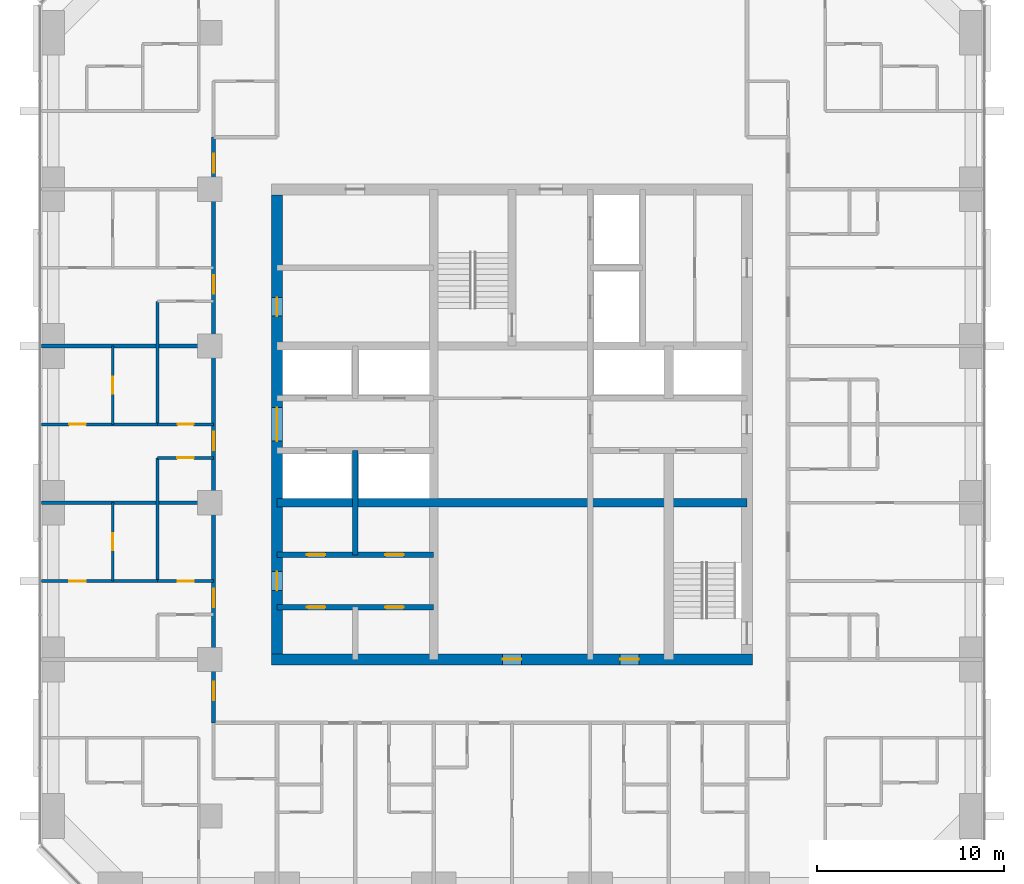
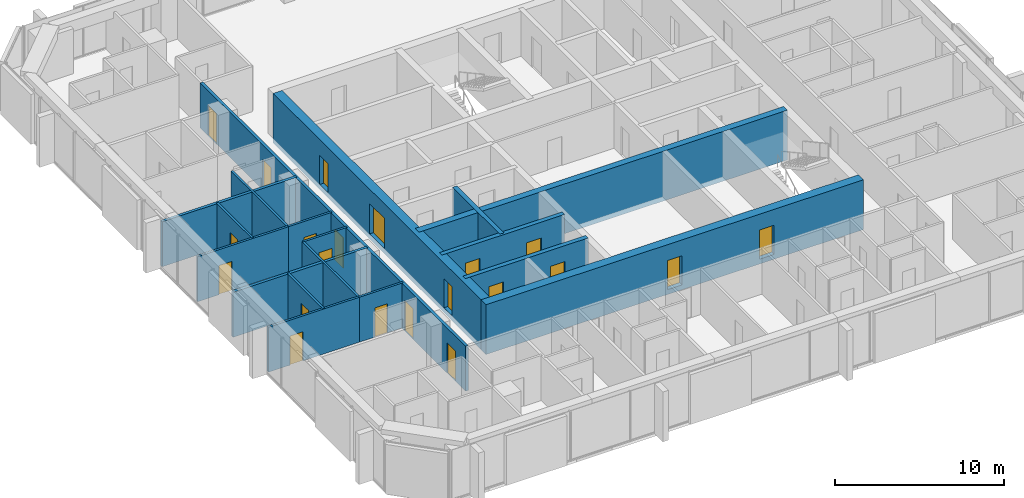
# One storey, part 9 of 14: 21 doors, 18 walls, 21 openings.
"""IFC4 building model written with IfcOpenShell, lengths in metres."""

from ifc_helpers import new_model, si_unit, direction, frame, frame_2d, origin, place, context, subcontext, project, spatial, rectangle, extrude, material, layer, layer_set, type_object, element, fill, save


model = new_model("IFC4")

# Units and contexts
model_context = context("Model", 3, precision=1e-05, world=origin(), true_north=direction((0.0, 1.0)))
body_context = subcontext(model_context, "Body", "Model", "MODEL_VIEW")
ifc_project = project(units=[si_unit("LENGTHUNIT", "METRE"), si_unit("AREAUNIT", "SQUARE_METRE"), si_unit("VOLUMEUNIT", "CUBIC_METRE"), si_unit("PLANEANGLEUNIT", "RADIAN"), si_unit("MASSUNIT", "GRAM", prefix="KILO")], contexts=[model_context])

# Site, building, storey
site_placement = place(None, origin())
site = spatial("IfcSite", under=ifc_project, at=site_placement, CompositionType="ELEMENT")
building_placement = place(site_placement, origin())
building = spatial("IfcBuilding", under=site, at=building_placement, Name="Dunama Terrace Hotel", CompositionType="ELEMENT")
storey_placement = place(building_placement, frame((0.0, 0.0, 202.199951171875)))
storey = spatial("IfcBuildingStorey", under=building, at=storey_placement, Name="L52", CompositionType="ELEMENT", Elevation=202.199951171875)

# Wall, opening, door
ifc_material_1 = material(Name="Gypsum board partition", Category="masonry")
ifc_layer_1 = layer(ifc_material_1, 0.14990234375)
ifc_layer_set_1 = layer_set([ifc_layer_1], Name="Bathroom partition 150")
wall_type_1 = type_object("IfcWallType", Name="Bathroom partition 150", PredefinedType="PARTITIONING", material=ifc_layer_set_1)
wall_1_placement = place(storey_placement, frame((10.39990234375, 21.0, 0.0), z_axis=(0.0, 0.0, 1.0), x_axis=(1.0, 0.0, 0.0)))
wall_1 = element("IfcWall", 1, at=wall_1_placement, inside=storey, type_object=wall_type_1, Name="Bathroom partition 150 L52", PredefinedType="PARTITIONING", context=body_context, shape_type="SweptSolid", body=[
    extrude(rectangle(XDim=3.0, YDim=0.14990234375, at=frame_2d((1.5, 0.0))), origin(), (0.0, 0.0, 1.0), 3.25),
])
opening_1_placement = place(wall_1_placement, frame((1.074951171875, 0.0, 0.0)))
opening_1 = element("IfcOpeningElement", 2, at=opening_1_placement, cuts=wall_1, Name="Opening L51-52-040", PredefinedType="OPENING", context=body_context, shape_type="SweptSolid", body=[
    extrude(rectangle(XDim=0.85009765625, YDim=2.10009765625, at=frame_2d((0.425048828125, 1.050048828125))), frame((0.0, 0.0849609375, 0.0), z_axis=(0.0, -1.0, 0.0), x_axis=(1.0, 0.0, 0.0)), (0.0, 0.0, 1.0), 0.169921875),
])
ifc_material_2 = material(Name="Timber door with steel frame", Category="steel")
door_type_1 = type_object("IfcDoorType", Name="Bathroom door 850", OperationType="SINGLE_SWING_LEFT", PredefinedType="DOOR", material=ifc_material_2)
door_1_placement = place(opening_1_placement, origin())
door_1 = element("IfcDoor", 3, at=door_1_placement, inside=storey, type_object=door_type_1, Name="Door to diplomatic residence bathroom L51-52-040, type D2", OperationType="SINGLE_SWING_RIGHT", OverallHeight=2.10009765625, OverallWidth=0.85009765625, PredefinedType="DOOR", context=body_context, shape_type="SweptSolid", body=[
    extrude(rectangle(XDim=0.85009765625, YDim=2.10009765625, at=frame_2d((0.425048828125, 1.050048828125))), frame((0.0, 0.02490234375, 0.0), z_axis=(0.0, -1.0, 0.0), x_axis=(1.0, 0.0, 0.0)), (0.0, 0.0, 1.0), 0.050048828125),
])
fill(opening_1, door_1)

wall_2_placement = place(storey_placement, frame((10.39990234375, 29.39990234375, 0.0), z_axis=(0.0, 0.0, 1.0), x_axis=(1.0, 0.0, 0.0)))
wall_2 = element("IfcWall", 4, at=wall_2_placement, inside=storey, type_object=wall_type_1, Name="Bathroom partition 150 L52", PredefinedType="PARTITIONING", context=body_context, shape_type="SweptSolid", body=[
    extrude(rectangle(XDim=3.0, YDim=0.14990234375, at=frame_2d((1.5, 0.0))), origin(), (0.0, 0.0, 1.0), 3.25),
])
opening_2_placement = place(wall_2_placement, frame((1.074951171875, 0.0, 0.0)))
opening_2 = element("IfcOpeningElement", 5, at=opening_2_placement, cuts=wall_2, Name="Opening L51-52-045", PredefinedType="OPENING", context=body_context, shape_type="SweptSolid", body=[
    extrude(rectangle(XDim=0.85009765625, YDim=2.10009765625, at=frame_2d((0.425048828125, 1.050048828125))), frame((0.0, 0.0849609375, 0.0), z_axis=(0.0, -1.0, 0.0), x_axis=(1.0, 0.0, 0.0)), (0.0, 0.0, 1.0), 0.169921875),
])
door_2_placement = place(opening_2_placement, origin())
door_2 = element("IfcDoor", 6, at=door_2_placement, inside=storey, type_object=door_type_1, Name="Door to diplomatic residence bathroom L51-52-045, type D2", OperationType="SINGLE_SWING_RIGHT", OverallHeight=2.10009765625, OverallWidth=0.85009765625, PredefinedType="DOOR", context=body_context, shape_type="SweptSolid", body=[
    extrude(rectangle(XDim=0.85009765625, YDim=2.10009765625, at=frame_2d((0.425048828125, 1.050048828125))), frame((0.0, 0.02490234375, 0.0), z_axis=(0.0, -1.0, 0.0), x_axis=(1.0, 0.0, 0.0)), (0.0, 0.0, 1.0), 0.050048828125),
])
fill(opening_2, door_2)

# Wall
ifc_material_3 = material(Name="Concrete C50/60", Category="concrete")
ifc_layer_2 = layer(ifc_material_3, 0.300048828125)
ifc_layer_set_2 = layer_set([ifc_layer_2], Name="Core inner wall 300")
wall_type_2 = type_object("IfcWallType", Name="Core inner wall 300", PredefinedType="SHEAR", material=ifc_layer_set_2)
wall_3_placement = place(storey_placement, frame((21.0, 22.39990234375, -0.349853515625), z_axis=(0.0, 0.0, 1.0), x_axis=(0.0, 1.0, 0.0)))
element("IfcWall", 7, at=wall_3_placement, inside=storey, type_object=wall_type_2, Name="Core inner wall 300 L52", PredefinedType="SHEAR", context=body_context, shape_type="SweptSolid", body=[
    extrude(rectangle(XDim=5.60009765625, YDim=0.300048828125, at=frame_2d((2.800048828125, 0.0))), origin(), (0.0, 0.0, 1.0), 3.599853515625),
])

# Wall, openings, doors
wall_4_placement = place(storey_placement, frame((16.800048828125, 19.60009765625, -0.349853515625), z_axis=(0.0, 0.0, 1.0), x_axis=(1.0, 0.0, 0.0)))
wall_4 = element("IfcWall", 8, at=wall_4_placement, inside=storey, type_object=wall_type_2, Name="Core inner wall 300 L52", PredefinedType="SHEAR", context=body_context, shape_type="SweptSolid", body=[
    extrude(rectangle(XDim=8.39990234375, YDim=0.300048828125, at=frame_2d((4.199951171875, 0.0))), origin(), (0.0, 0.0, 1.0), 3.599853515625),
])
opening_3_placement = place(wall_4_placement, frame((1.60009765625, 0.0, 0.35009765625)))
opening_3 = element("IfcOpeningElement", 9, at=opening_3_placement, cuts=wall_4, Name="Opening L51-52-074", PredefinedType="OPENING", context=body_context, shape_type="SweptSolid", body=[
    extrude(rectangle(XDim=1.0, YDim=2.10009765625, at=frame_2d((0.5, 1.050048828125))), frame((0.0, 0.159912109375, 0.0), z_axis=(0.0, -1.0, 0.0), x_axis=(1.0, 0.0, 0.0)), (0.0, 0.0, 1.0), 0.320068359375),
])
opening_4_placement = place(wall_4_placement, frame((5.800048828125, 0.0, 0.35009765625)))
opening_4 = element("IfcOpeningElement", 10, at=opening_4_placement, cuts=wall_4, Name="Opening L51-52-075", PredefinedType="OPENING", context=body_context, shape_type="SweptSolid", body=[
    extrude(rectangle(XDim=1.0, YDim=2.10009765625, at=frame_2d((0.5, 1.050048828125))), frame((0.0, 0.159912109375, 0.0), z_axis=(0.0, -1.0, 0.0), x_axis=(1.0, 0.0, 0.0)), (0.0, 0.0, 1.0), 0.320068359375),
])
ifc_material_4 = material(Name="Timber door with steel frame", Category="steel")
door_type_2 = type_object("IfcDoorType", Name="Service door 1000", OperationType="SINGLE_SWING_LEFT", PredefinedType="DOOR", material=ifc_material_4)
door_3_placement = place(opening_3_placement, frame((1.0, 0.0, 0.0), z_axis=(0.0, 0.0, 1.0), x_axis=(-1.0, 0.0, 0.0)))
door_3 = element("IfcDoor", 11, at=door_3_placement, inside=storey, type_object=door_type_2, Name="Door to service riser L51-52-074, type D7", OperationType="SINGLE_SWING_RIGHT", OverallHeight=2.10009765625, OverallWidth=1.0, PredefinedType="DOOR", context=body_context, shape_type="SweptSolid", body=[
    extrude(rectangle(XDim=1.0, YDim=2.10009765625, at=frame_2d((0.5, 1.050048828125))), frame((0.0, 0.025146484375, 0.0), z_axis=(0.0, -1.0, 0.0), x_axis=(1.0, 0.0, 0.0)), (0.0, 0.0, 1.0), 0.050048828125),
])
fill(opening_3, door_3)
door_4_placement = place(opening_4_placement, frame((1.0, 0.0, 0.0), z_axis=(0.0, 0.0, 1.0), x_axis=(-1.0, 0.0, 0.0)))
door_4 = element("IfcDoor", 12, at=door_4_placement, inside=storey, type_object=door_type_2, Name="Door to cleaners store L51-52-075, type D7", OperationType="SINGLE_SWING_LEFT", OverallHeight=2.10009765625, OverallWidth=1.0, PredefinedType="DOOR", context=body_context, shape_type="SweptSolid", body=[
    extrude(rectangle(XDim=1.0, YDim=2.10009765625, at=frame_2d((0.5, 1.050048828125))), frame((0.0, 0.025146484375, 0.0), z_axis=(0.0, -1.0, 0.0), x_axis=(1.0, 0.0, 0.0)), (0.0, 0.0, 1.0), 0.050048828125),
])
fill(opening_4, door_4)

wall_5_placement = place(storey_placement, frame((16.800048828125, 22.39990234375, -0.349853515625), z_axis=(0.0, 0.0, 1.0), x_axis=(1.0, 0.0, 0.0)))
wall_5 = element("IfcWall", 13, at=wall_5_placement, inside=storey, type_object=wall_type_2, Name="Core inner wall 300 L52", PredefinedType="SHEAR", context=body_context, shape_type="SweptSolid", body=[
    extrude(rectangle(XDim=8.39990234375, YDim=0.300048828125, at=frame_2d((4.199951171875, 0.0))), origin(), (0.0, 0.0, 1.0), 3.599853515625),
])
opening_5_placement = place(wall_5_placement, frame((1.60009765625, 0.0, 0.35009765625)))
opening_5 = element("IfcOpeningElement", 14, at=opening_5_placement, cuts=wall_5, Name="Opening L51-52-076", PredefinedType="OPENING", context=body_context, shape_type="SweptSolid", body=[
    extrude(rectangle(XDim=1.0, YDim=2.10009765625, at=frame_2d((0.5, 1.050048828125))), frame((0.0, 0.159912109375, 0.0), z_axis=(0.0, -1.0, 0.0), x_axis=(1.0, 0.0, 0.0)), (0.0, 0.0, 1.0), 0.320068359375),
])
opening_6_placement = place(wall_5_placement, frame((5.800048828125, 0.0, 0.35009765625)))
opening_6 = element("IfcOpeningElement", 15, at=opening_6_placement, cuts=wall_5, Name="Opening L51-52-077", PredefinedType="OPENING", context=body_context, shape_type="SweptSolid", body=[
    extrude(rectangle(XDim=1.0, YDim=2.10009765625, at=frame_2d((0.5, 1.050048828125))), frame((0.0, 0.159912109375, 0.0), z_axis=(0.0, -1.0, 0.0), x_axis=(1.0, 0.0, 0.0)), (0.0, 0.0, 1.0), 0.320068359375),
])
door_5_placement = place(opening_5_placement, origin())
door_5 = element("IfcDoor", 16, at=door_5_placement, inside=storey, type_object=door_type_2, Name="Door to it room L51-52-076, type D7", OperationType="SINGLE_SWING_LEFT", OverallHeight=2.10009765625, OverallWidth=1.0, PredefinedType="DOOR", context=body_context, shape_type="SweptSolid", body=[
    extrude(rectangle(XDim=1.0, YDim=2.10009765625, at=frame_2d((0.5, 1.050048828125))), frame((0.0, 0.02490234375, 0.0), z_axis=(0.0, -1.0, 0.0), x_axis=(1.0, 0.0, 0.0)), (0.0, 0.0, 1.0), 0.050048828125),
])
fill(opening_5, door_5)
door_6_placement = place(opening_6_placement, origin())
door_6 = element("IfcDoor", 17, at=door_6_placement, inside=storey, type_object=door_type_2, Name="Door to staff accessible wc L51-52-077, type D7", OperationType="SINGLE_SWING_RIGHT", OverallHeight=2.10009765625, OverallWidth=1.0, PredefinedType="DOOR", context=body_context, shape_type="SweptSolid", body=[
    extrude(rectangle(XDim=1.0, YDim=2.10009765625, at=frame_2d((0.5, 1.050048828125))), frame((0.0, 0.02490234375, 0.0), z_axis=(0.0, -1.0, 0.0), x_axis=(1.0, 0.0, 0.0)), (0.0, 0.0, 1.0), 0.050048828125),
])
fill(opening_6, door_6)

# Wall
ifc_material_5 = material(Name="Concrete C50/60", Category="concrete")
ifc_layer_3 = layer(ifc_material_5, 0.449951171875)
ifc_layer_set_3 = layer_set([ifc_layer_3], Name="Core inner wall 450")
wall_type_3 = type_object("IfcWallType", Name="Core inner wall 450", PredefinedType="SHEAR", material=ifc_layer_set_3)
wall_6_placement = place(storey_placement, frame((16.800048828125, 25.199951171875, -0.349853515625), z_axis=(0.0, 0.0, 1.0), x_axis=(1.0, 0.0, 0.0)))
element("IfcWall", 18, at=wall_6_placement, inside=storey, type_object=wall_type_3, Name="Core inner wall 450 L52", PredefinedType="SHEAR", context=body_context, shape_type="SweptSolid", body=[
    extrude(rectangle(XDim=25.199951171875, YDim=0.449951171875, at=frame_2d((12.60009765625, 0.0))), origin(), (0.0, 0.0, 1.0), 3.599853515625),
])

# Wall, openings, doors
ifc_material_6 = material(Name="Concrete C50/60", Category="concrete")
ifc_layer_4 = layer(ifc_material_6, 0.60009765625)
ifc_layer_set_4 = layer_set([ifc_layer_4], Name="Core wall 600")
wall_type_4 = type_object("IfcWallType", Name="Core wall 600", PredefinedType="SHEAR", material=ifc_layer_set_4)
wall_7_placement = place(storey_placement, frame((16.5, 16.800048828125, -0.349853515625), z_axis=(0.0, 0.0, 1.0), x_axis=(1.0, 0.0, 0.0)))
wall_7 = element("IfcWall", 19, at=wall_7_placement, inside=storey, type_object=wall_type_4, Name="Core wall south L52", PredefinedType="SHEAR", context=body_context, shape_type="SweptSolid", body=[
    extrude(rectangle(XDim=25.800048828125, YDim=0.60009765625, at=frame_2d((12.89990234375, 0.0))), origin(), (0.0, 0.0, 1.0), 3.599853515625),
])
opening_7_placement = place(wall_7_placement, frame((12.39990234375, 0.0, 0.35009765625)))
opening_7 = element("IfcOpeningElement", 20, at=opening_7_placement, cuts=wall_7, Name="Opening L51-52-089", PredefinedType="OPENING", context=body_context, shape_type="SweptSolid", body=[
    extrude(rectangle(XDim=1.0, YDim=2.10009765625, at=frame_2d((0.5, 1.050048828125))), frame((0.0, 0.31005859375, 0.0), z_axis=(0.0, -1.0, 0.0), x_axis=(1.0, 0.0, 0.0)), (0.0, 0.0, 1.0), 0.6201171875),
])
opening_8_placement = place(wall_7_placement, frame((18.699951171875, 0.0, 0.35009765625)))
opening_8 = element("IfcOpeningElement", 21, at=opening_8_placement, cuts=wall_7, Name="Opening L51-52-090", PredefinedType="OPENING", context=body_context, shape_type="SweptSolid", body=[
    extrude(rectangle(XDim=1.0, YDim=2.10009765625, at=frame_2d((0.5, 1.050048828125))), frame((0.0, 0.31005859375, 0.0), z_axis=(0.0, -1.0, 0.0), x_axis=(1.0, 0.0, 0.0)), (0.0, 0.0, 1.0), 0.6201171875),
])
door_7_placement = place(opening_7_placement, origin())
door_7 = element("IfcDoor", 22, at=door_7_placement, inside=storey, type_object=door_type_2, Name="Door to corridor air handling room L51-52-089, type D7", OperationType="SINGLE_SWING_LEFT", OverallHeight=2.10009765625, OverallWidth=1.0, PredefinedType="DOOR", context=body_context, shape_type="SweptSolid", body=[
    extrude(rectangle(XDim=1.0, YDim=2.10009765625, at=frame_2d((0.5, 1.050048828125))), frame((0.0, 0.02490234375, 0.0), z_axis=(0.0, -1.0, 0.0), x_axis=(1.0, 0.0, 0.0)), (0.0, 0.0, 1.0), 0.050048828125),
])
fill(opening_7, door_7)
door_8_placement = place(opening_8_placement, origin())
door_8 = element("IfcDoor", 23, at=door_8_placement, inside=storey, type_object=door_type_2, Name="Door to water riser room L51-52-090, type D7", OperationType="SINGLE_SWING_RIGHT", OverallHeight=2.10009765625, OverallWidth=1.0, PredefinedType="DOOR", context=body_context, shape_type="SweptSolid", body=[
    extrude(rectangle(XDim=1.0, YDim=2.10009765625, at=frame_2d((0.5, 1.050048828125))), frame((0.0, 0.02490234375, 0.0), z_axis=(0.0, -1.0, 0.0), x_axis=(1.0, 0.0, 0.0)), (0.0, 0.0, 1.0), 0.050048828125),
])
fill(opening_8, door_8)

wall_8_placement = place(storey_placement, frame((16.800048828125, 41.699951171875, -0.349853515625), z_axis=(0.0, 0.0, 1.0), x_axis=(0.0, -1.0, 0.0)))
wall_8 = element("IfcWall", 24, at=wall_8_placement, inside=storey, type_object=wall_type_4, Name="Core wall west L52", PredefinedType="SHEAR", context=body_context, shape_type="SweptSolid", body=[
    extrude(rectangle(XDim=24.599853515625, YDim=0.60009765625, at=frame_2d((12.2998046875, 0.0))), origin(), (0.0, 0.0, 1.0), 3.599853515625),
])
opening_9_placement = place(wall_8_placement, frame((11.39990234375, 0.0, 0.35009765625)))
opening_9 = element("IfcOpeningElement", 25, at=opening_9_placement, cuts=wall_8, Name="Opening L51-52-073", PredefinedType="OPENING", context=body_context, shape_type="SweptSolid", body=[
    extrude(rectangle(XDim=1.800048828125, YDim=2.199951171875, at=frame_2d((0.89990234375, 1.10009765625))), frame((0.0, 0.31005859375, 0.0), z_axis=(0.0, -1.0, 0.0), x_axis=(1.0, 0.0, 0.0)), (0.0, 0.0, 1.0), 0.6201171875),
])
opening_10_placement = place(wall_8_placement, frame((20.199951171875, 0.0, 0.35009765625)))
opening_10 = element("IfcOpeningElement", 26, at=opening_10_placement, cuts=wall_8, Name="Opening L51-52-078", PredefinedType="OPENING", context=body_context, shape_type="SweptSolid", body=[
    extrude(rectangle(XDim=1.0, YDim=2.10009765625, at=frame_2d((0.5, 1.050048828125))), frame((0.0, 0.31005859375, 0.0), z_axis=(0.0, -1.0, 0.0), x_axis=(1.0, 0.0, 0.0)), (0.0, 0.0, 1.0), 0.6201171875),
])
opening_11_placement = place(wall_8_placement, frame((5.5, 0.0, 0.35009765625)))
opening_11 = element("IfcOpeningElement", 27, at=opening_11_placement, cuts=wall_8, Name="Opening L51-52-079", PredefinedType="OPENING", context=body_context, shape_type="SweptSolid", body=[
    extrude(rectangle(XDim=1.0, YDim=2.10009765625, at=frame_2d((0.5, 1.050048828125))), frame((0.0, 0.31005859375, 0.0), z_axis=(0.0, -1.0, 0.0), x_axis=(1.0, 0.0, 0.0)), (0.0, 0.0, 1.0), 0.6201171875),
])
ifc_material_7 = material(Name="Timber door with steel frame", Category="steel")
door_type_3 = type_object("IfcDoorType", Name="Lift lobby double door 1800", OperationType="DOUBLE_DOOR_DOUBLE_SWING", PredefinedType="DOOR", material=ifc_material_7)
door_9_placement = place(opening_9_placement, origin())
door_9 = element("IfcDoor", 28, at=door_9_placement, inside=storey, type_object=door_type_3, Name="Door to lift lobby L51-52-073, type D3", OperationType="DOUBLE_DOOR_DOUBLE_SWING", OverallHeight=2.199951171875, OverallWidth=1.800048828125, PredefinedType="DOOR", context=body_context, shape_type="SweptSolid", body=[
    extrude(rectangle(XDim=1.800048828125, YDim=2.199951171875, at=frame_2d((0.89990234375, 1.10009765625))), frame((0.0, 0.02490234375, 0.0), z_axis=(0.0, -1.0, 0.0), x_axis=(1.0, 0.0, 0.0)), (0.0, 0.0, 1.0), 0.050048828125),
])
fill(opening_9, door_9)
door_10_placement = place(opening_10_placement, origin())
door_10 = element("IfcDoor", 29, at=door_10_placement, inside=storey, type_object=door_type_2, Name="Door to back-of-house lobby L51-52-078, type D7", OperationType="SINGLE_SWING_LEFT", OverallHeight=2.10009765625, OverallWidth=1.0, PredefinedType="DOOR", context=body_context, shape_type="SweptSolid", body=[
    extrude(rectangle(XDim=1.0, YDim=2.10009765625, at=frame_2d((0.5, 1.050048828125))), frame((0.0, 0.02490234375, 0.0), z_axis=(0.0, -1.0, 0.0), x_axis=(1.0, 0.0, 0.0)), (0.0, 0.0, 1.0), 0.050048828125),
])
fill(opening_10, door_10)
door_11_placement = place(opening_11_placement, origin())
door_11 = element("IfcDoor", 30, at=door_11_placement, inside=storey, type_object=door_type_2, Name="Door to electrical room L51-52-079, type D7", OperationType="SINGLE_SWING_RIGHT", OverallHeight=2.10009765625, OverallWidth=1.0, PredefinedType="DOOR", context=body_context, shape_type="SweptSolid", body=[
    extrude(rectangle(XDim=1.0, YDim=2.10009765625, at=frame_2d((0.5, 1.050048828125))), frame((0.0, 0.02490234375, 0.0), z_axis=(0.0, -1.0, 0.0), x_axis=(1.0, 0.0, 0.0)), (0.0, 0.0, 1.0), 0.050048828125),
])
fill(opening_11, door_11)

ifc_material_8 = material(Name="Concrete blockwork", Category="masonry")
ifc_layer_5 = layer(ifc_material_8, 0.199951171875)
ifc_layer_set_5 = layer_set([ifc_layer_5], Name="Corridor partition 200")
wall_type_5 = type_object("IfcWallType", Name="Corridor partition 200", PredefinedType="PARTITIONING", material=ifc_layer_set_5)
wall_9_placement = place(storey_placement, frame((13.39990234375, 13.39990234375, 0.0), z_axis=(0.0, 0.0, 1.0), x_axis=(0.0, 1.0, 0.0)))
wall_9 = element("IfcWall", 31, at=wall_9_placement, inside=storey, type_object=wall_type_5, Name="Corridor partition 200 L52", PredefinedType="PARTITIONING", context=body_context, shape_type="SweptSolid", body=[
    extrude(rectangle(XDim=31.400146484375, YDim=0.199951171875, at=frame_2d((15.7001953125, 0.0))), origin(), (0.0, 0.0, 1.0), 3.25),
])
opening_12_placement = place(wall_9_placement, frame((6.199951171875, 0.0, 0.0)))
opening_12 = element("IfcOpeningElement", 32, at=opening_12_placement, cuts=wall_9, Name="Opening L51-52-038", PredefinedType="OPENING", context=body_context, shape_type="SweptSolid", body=[
    extrude(rectangle(XDim=1.0, YDim=2.199951171875, at=frame_2d((0.5, 1.10009765625))), frame((0.0, 0.10986328125, 0.0), z_axis=(0.0, -1.0, 0.0), x_axis=(1.0, 0.0, 0.0)), (0.0, 0.0, 1.0), 0.219970703125),
])
opening_13_placement = place(wall_9_placement, frame((14.60009765625, 0.0, 0.0)))
opening_13 = element("IfcOpeningElement", 33, at=opening_13_placement, cuts=wall_9, Name="Opening L51-52-043", PredefinedType="OPENING", context=body_context, shape_type="SweptSolid", body=[
    extrude(rectangle(XDim=1.0, YDim=2.199951171875, at=frame_2d((0.5, 1.10009765625))), frame((0.0, 0.10986328125, 0.0), z_axis=(0.0, -1.0, 0.0), x_axis=(1.0, 0.0, 0.0)), (0.0, 0.0, 1.0), 0.219970703125),
])
opening_14_placement = place(wall_9_placement, frame((23.0, 0.0, 0.0)))
opening_14 = element("IfcOpeningElement", 34, at=opening_14_placement, cuts=wall_9, Name="Opening L51-52-048", PredefinedType="OPENING", context=body_context, shape_type="SweptSolid", body=[
    extrude(rectangle(XDim=1.0, YDim=2.199951171875, at=frame_2d((0.5, 1.10009765625))), frame((0.0, 0.10986328125, 0.0), z_axis=(0.0, -1.0, 0.0), x_axis=(1.0, 0.0, 0.0)), (0.0, 0.0, 1.0), 0.219970703125),
])
opening_15_placement = place(wall_9_placement, frame((1.199951171875, 0.0, 0.0)))
opening_15 = element("IfcOpeningElement", 35, at=opening_15_placement, cuts=wall_9, Name="Opening L51-52-053", PredefinedType="OPENING", context=body_context, shape_type="SweptSolid", body=[
    extrude(rectangle(XDim=1.0, YDim=2.199951171875, at=frame_2d((0.5, 1.10009765625))), frame((0.0, 0.10986328125, 0.0), z_axis=(0.0, -1.0, 0.0), x_axis=(1.0, 0.0, 0.0)), (0.0, 0.0, 1.0), 0.219970703125),
])
opening_16_placement = place(wall_9_placement, frame((29.5, 0.0, 0.0)))
opening_16 = element("IfcOpeningElement", 36, at=opening_16_placement, cuts=wall_9, Name="Opening L51-52-068", PredefinedType="OPENING", context=body_context, shape_type="SweptSolid", body=[
    extrude(rectangle(XDim=1.0, YDim=2.199951171875, at=frame_2d((0.5, 1.10009765625))), frame((0.0, 0.10986328125, 0.0), z_axis=(0.0, -1.0, 0.0), x_axis=(1.0, 0.0, 0.0)), (0.0, 0.0, 1.0), 0.219970703125),
])
ifc_material_9 = material(Name="Timber door with steel frame", Category="steel")
door_type_4 = type_object("IfcDoorType", Name="Guest room door 1000", OperationType="SINGLE_SWING_LEFT", PredefinedType="DOOR", material=ifc_material_9)
door_12_placement = place(opening_12_placement, origin())
door_12 = element("IfcDoor", 37, at=door_12_placement, inside=storey, type_object=door_type_4, Name="Door to diplomatic residence living room L51-52-038, type D1", OperationType="SINGLE_SWING_RIGHT", OverallHeight=2.199951171875, OverallWidth=1.0, PredefinedType="DOOR", context=body_context, shape_type="SweptSolid", body=[
    extrude(rectangle(XDim=1.0, YDim=2.199951171875, at=frame_2d((0.5, 1.10009765625))), frame((0.0, 0.02490234375, 0.0), z_axis=(0.0, -1.0, 0.0), x_axis=(1.0, 0.0, 0.0)), (0.0, 0.0, 1.0), 0.050048828125),
])
fill(opening_12, door_12)
door_13_placement = place(opening_13_placement, origin())
door_13 = element("IfcDoor", 38, at=door_13_placement, inside=storey, type_object=door_type_4, Name="Door to diplomatic residence living room L51-52-043, type D1", OperationType="SINGLE_SWING_LEFT", OverallHeight=2.199951171875, OverallWidth=1.0, PredefinedType="DOOR", context=body_context, shape_type="SweptSolid", body=[
    extrude(rectangle(XDim=1.0, YDim=2.199951171875, at=frame_2d((0.5, 1.10009765625))), frame((0.0, 0.02490234375, 0.0), z_axis=(0.0, -1.0, 0.0), x_axis=(1.0, 0.0, 0.0)), (0.0, 0.0, 1.0), 0.050048828125),
])
fill(opening_13, door_13)
door_14_placement = place(opening_14_placement, origin())
door_14 = element("IfcDoor", 39, at=door_14_placement, inside=storey, type_object=door_type_4, Name="Door to diplomatic residence living room L51-52-048, type D1", OperationType="SINGLE_SWING_LEFT", OverallHeight=2.199951171875, OverallWidth=1.0, PredefinedType="DOOR", context=body_context, shape_type="SweptSolid", body=[
    extrude(rectangle(XDim=1.0, YDim=2.199951171875, at=frame_2d((0.5, 1.10009765625))), frame((0.0, 0.02490234375, 0.0), z_axis=(0.0, -1.0, 0.0), x_axis=(1.0, 0.0, 0.0)), (0.0, 0.0, 1.0), 0.050048828125),
])
fill(opening_14, door_14)
door_15_placement = place(opening_15_placement, origin())
door_15 = element("IfcDoor", 40, at=door_15_placement, inside=storey, type_object=door_type_4, Name="Door to corner suite living room L51-52-053, type D1", OperationType="SINGLE_SWING_RIGHT", OverallHeight=2.199951171875, OverallWidth=1.0, PredefinedType="DOOR", context=body_context, shape_type="SweptSolid", body=[
    extrude(rectangle(XDim=1.0, YDim=2.199951171875, at=frame_2d((0.5, 1.10009765625))), frame((0.0, 0.02490234375, 0.0), z_axis=(0.0, -1.0, 0.0), x_axis=(1.0, 0.0, 0.0)), (0.0, 0.0, 1.0), 0.050048828125),
])
fill(opening_15, door_15)
door_16_placement = place(opening_16_placement, origin())
door_16 = element("IfcDoor", 41, at=door_16_placement, inside=storey, type_object=door_type_4, Name="Door to corner suite living room L51-52-068, type D1", OperationType="SINGLE_SWING_LEFT", OverallHeight=2.199951171875, OverallWidth=1.0, PredefinedType="DOOR", context=body_context, shape_type="SweptSolid", body=[
    extrude(rectangle(XDim=1.0, YDim=2.199951171875, at=frame_2d((0.5, 1.10009765625))), frame((0.0, 0.02490234375, 0.0), z_axis=(0.0, -1.0, 0.0), x_axis=(1.0, 0.0, 0.0)), (0.0, 0.0, 1.0), 0.050048828125),
])
fill(opening_16, door_16)

# Walls
ifc_material_10 = material(Name="Concrete blockwork", Category="masonry")
ifc_layer_6 = layer(ifc_material_10, 0.199951171875)
ifc_layer_set_6 = layer_set([ifc_layer_6], Name="Party wall 200")
wall_type_6 = type_object("IfcWallType", Name="Party wall 200", PredefinedType="PARTITIONING", material=ifc_layer_set_6)
for number, where, z_axis, x_axis, name in (
    (42, (4.181884765625, 25.199951171875, 0.0), (0.0, 0.0, 1.0), (1.0, 0.0, 0.0), "Party wall 200 L52"),
    (43, (4.181884765625, 33.60009765625, 0.0), (0.0, 0.0, 1.0), (1.0, 0.0, 0.0), "Party wall 200 L52"),
):
    element("IfcWall", number, at=place(storey_placement, frame(where, z_axis=z_axis, x_axis=x_axis)), inside=storey, type_object=wall_type_6, Name=name, PredefinedType="PARTITIONING", context=body_context, shape_type="SweptSolid", body=[
        extrude(rectangle(XDim=9.218017578125, YDim=0.199951171875, at=frame_2d((4.60888671875, 0.0))), origin(), (0.0, 0.0, 1.0), 3.25),
    ])

# Wall, opening, door
ifc_material_11 = material(Name="Gypsum board partition", Category="masonry")
ifc_layer_7 = layer(ifc_material_11, 0.14990234375)
ifc_layer_set_7 = layer_set([ifc_layer_7], Name="Room partition 150")
wall_type_7 = type_object("IfcWallType", Name="Room partition 150", PredefinedType="PARTITIONING", material=ifc_layer_set_7)
wall_10_placement = place(storey_placement, frame((8.0, 21.0, 0.0), z_axis=(0.0, 0.0, 1.0), x_axis=(0.0, 1.0, 0.0)))
wall_10 = element("IfcWall", 44, at=wall_10_placement, inside=storey, type_object=wall_type_7, Name="Room partition 150 L52", PredefinedType="PARTITIONING", context=body_context, shape_type="SweptSolid", body=[
    extrude(rectangle(XDim=4.199951171875, YDim=0.14990234375, at=frame_2d((2.10009765625, 0.0))), origin(), (0.0, 0.0, 1.0), 3.25),
])
opening_17_placement = place(wall_10_placement, frame((1.64990234375, 0.0, 0.0)))
opening_17 = element("IfcOpeningElement", 45, at=opening_17_placement, cuts=wall_10, Name="Opening L51-52-041", PredefinedType="OPENING", context=body_context, shape_type="SweptSolid", body=[
    extrude(rectangle(XDim=0.89990234375, YDim=2.10009765625, at=frame_2d((0.449951171875, 1.050048828125))), frame((0.0, 0.0849609375, 0.0), z_axis=(0.0, -1.0, 0.0), x_axis=(1.0, 0.0, 0.0)), (0.0, 0.0, 1.0), 0.169921875),
])
ifc_material_12 = material(Name="Timber door with steel frame", Category="steel")
door_type_5 = type_object("IfcDoorType", Name="Suite internal door 900", OperationType="SINGLE_SWING_LEFT", PredefinedType="DOOR", material=ifc_material_12)
door_17_placement = place(opening_17_placement, frame((0.89990234375, 0.0, 0.0), z_axis=(0.0, 0.0, 1.0), x_axis=(-1.0, 0.0, 0.0)))
door_17 = element("IfcDoor", 46, at=door_17_placement, inside=storey, type_object=door_type_5, Name="Door to walk-in wardrobe L51-52-041, type D16", OperationType="SINGLE_SWING_RIGHT", OverallHeight=2.10009765625, OverallWidth=0.89990234375, PredefinedType="DOOR", context=body_context, shape_type="SweptSolid", body=[
    extrude(rectangle(XDim=0.89990234375, YDim=2.10009765625, at=frame_2d((0.449951171875, 1.050048828125))), frame((0.0, 0.025146484375, 0.0), z_axis=(0.0, -1.0, 0.0), x_axis=(1.0, 0.0, 0.0)), (0.0, 0.0, 1.0), 0.050048828125),
])
fill(opening_17, door_17)

wall_11_placement = place(storey_placement, frame((8.0, 29.39990234375, 0.0), z_axis=(0.0, 0.0, 1.0), x_axis=(0.0, 1.0, 0.0)))
wall_11 = element("IfcWall", 47, at=wall_11_placement, inside=storey, type_object=wall_type_7, Name="Room partition 150 L52", PredefinedType="PARTITIONING", context=body_context, shape_type="SweptSolid", body=[
    extrude(rectangle(XDim=4.2001953125, YDim=0.14990234375, at=frame_2d((2.10009765625, 0.0))), origin(), (0.0, 0.0, 1.0), 3.25),
])
opening_18_placement = place(wall_11_placement, frame((1.64990234375, 0.0, 0.0)))
opening_18 = element("IfcOpeningElement", 48, at=opening_18_placement, cuts=wall_11, Name="Opening L51-52-046", PredefinedType="OPENING", context=body_context, shape_type="SweptSolid", body=[
    extrude(rectangle(XDim=0.89990234375, YDim=2.10009765625, at=frame_2d((0.449951171875, 1.050048828125))), frame((0.0, 0.0849609375, 0.0), z_axis=(0.0, -1.0, 0.0), x_axis=(1.0, 0.0, 0.0)), (0.0, 0.0, 1.0), 0.169921875),
])
door_18_placement = place(opening_18_placement, frame((0.89990234375, 0.0, 0.0), z_axis=(0.0, 0.0, 1.0), x_axis=(-1.0, 0.0, 0.0)))
door_18 = element("IfcDoor", 49, at=door_18_placement, inside=storey, type_object=door_type_5, Name="Door to walk-in wardrobe L51-52-046, type D16", OperationType="SINGLE_SWING_RIGHT", OverallHeight=2.10009765625, OverallWidth=0.89990234375, PredefinedType="DOOR", context=body_context, shape_type="SweptSolid", body=[
    extrude(rectangle(XDim=0.89990234375, YDim=2.10009765625, at=frame_2d((0.449951171875, 1.050048828125))), frame((0.0, 0.025146484375, 0.0), z_axis=(0.0, -1.0, 0.0), x_axis=(1.0, 0.0, 0.0)), (0.0, 0.0, 1.0), 0.050048828125),
])
fill(opening_18, door_18)

# Walls
for number, where, z_axis, x_axis, name in (
    (50, (10.39990234375, 21.0, 0.0), (0.0, 0.0, 1.0), (0.0, 1.0, 0.0), "Room partition 150 L52"),
    (51, (10.39990234375, 29.39990234375, 0.0), (0.0, 0.0, 1.0), (0.0, 1.0, 0.0), "Room partition 150 L52"),
):
    element("IfcWall", number, at=place(storey_placement, frame(where, z_axis=z_axis, x_axis=x_axis)), inside=storey, type_object=wall_type_7, Name=name, PredefinedType="PARTITIONING", context=body_context, shape_type="SweptSolid", body=[
        extrude(rectangle(XDim=6.60009765625, YDim=0.14990234375, at=frame_2d((3.300048828125, 0.0))), origin(), (0.0, 0.0, 1.0), 3.25),
    ])

# Wall, opening, door
wall_12_placement = place(storey_placement, frame((4.181884765625, 21.0, 0.0), z_axis=(0.0, 0.0, 1.0), x_axis=(1.0, 0.0, 0.0)))
wall_12 = element("IfcWall", 52, at=wall_12_placement, inside=storey, type_object=wall_type_7, Name="Room partition 150 L52", PredefinedType="PARTITIONING", context=body_context, shape_type="SweptSolid", body=[
    extrude(rectangle(XDim=6.218017578125, YDim=0.14990234375, at=frame_2d((3.10888671875, 0.0))), origin(), (0.0, 0.0, 1.0), 3.25),
])
opening_19_placement = place(wall_12_placement, frame((1.468017578125, 0.0, 0.0)))
opening_19 = element("IfcOpeningElement", 53, at=opening_19_placement, cuts=wall_12, Name="Opening L51-52-042", PredefinedType="OPENING", context=body_context, shape_type="SweptSolid", body=[
    extrude(rectangle(XDim=0.89990234375, YDim=2.10009765625, at=frame_2d((0.449951171875, 1.050048828125))), frame((0.0, 0.0849609375, 0.0), z_axis=(0.0, -1.0, 0.0), x_axis=(1.0, 0.0, 0.0)), (0.0, 0.0, 1.0), 0.169921875),
])
door_19_placement = place(opening_19_placement, origin())
door_19 = element("IfcDoor", 54, at=door_19_placement, inside=storey, type_object=door_type_5, Name="Door to diplomatic residence bedroom L51-52-042, type D16", OperationType="SINGLE_SWING_RIGHT", OverallHeight=2.10009765625, OverallWidth=0.89990234375, PredefinedType="DOOR", context=body_context, shape_type="SweptSolid", body=[
    extrude(rectangle(XDim=0.89990234375, YDim=2.10009765625, at=frame_2d((0.449951171875, 1.050048828125))), frame((0.0, 0.02490234375, 0.0), z_axis=(0.0, -1.0, 0.0), x_axis=(1.0, 0.0, 0.0)), (0.0, 0.0, 1.0), 0.050048828125),
])
fill(opening_19, door_19)

wall_13_placement = place(storey_placement, frame((10.39990234375, 27.60009765625, 0.0), z_axis=(0.0, 0.0, 1.0), x_axis=(1.0, 0.0, 0.0)))
wall_13 = element("IfcWall", 55, at=wall_13_placement, inside=storey, type_object=wall_type_7, Name="Room partition 150 L52", PredefinedType="PARTITIONING", context=body_context, shape_type="SweptSolid", body=[
    extrude(rectangle(XDim=3.0, YDim=0.14990234375, at=frame_2d((1.5, 0.0))), origin(), (0.0, 0.0, 1.0), 3.25),
])
opening_20_placement = place(wall_13_placement, frame((1.050048828125, 0.0, 0.0)))
opening_20 = element("IfcOpeningElement", 56, at=opening_20_placement, cuts=wall_13, Name="Opening L51-52-044", PredefinedType="OPENING", context=body_context, shape_type="SweptSolid", body=[
    extrude(rectangle(XDim=0.89990234375, YDim=2.10009765625, at=frame_2d((0.449951171875, 1.050048828125))), frame((0.0, 0.0849609375, 0.0), z_axis=(0.0, -1.0, 0.0), x_axis=(1.0, 0.0, 0.0)), (0.0, 0.0, 1.0), 0.169921875),
])
door_20_placement = place(opening_20_placement, frame((0.89990234375, 0.0, 0.0), z_axis=(0.0, 0.0, 1.0), x_axis=(-1.0, 0.0, 0.0)))
door_20 = element("IfcDoor", 57, at=door_20_placement, inside=storey, type_object=door_type_5, Name="Door to diplomatic residence kitchen L51-52-044, type D16", OperationType="SINGLE_SWING_LEFT", OverallHeight=2.10009765625, OverallWidth=0.89990234375, PredefinedType="DOOR", context=body_context, shape_type="SweptSolid", body=[
    extrude(rectangle(XDim=0.89990234375, YDim=2.10009765625, at=frame_2d((0.449951171875, 1.050048828125))), frame((0.0, 0.025146484375, 0.0), z_axis=(0.0, -1.0, 0.0), x_axis=(1.0, 0.0, 0.0)), (0.0, 0.0, 1.0), 0.050048828125),
])
fill(opening_20, door_20)

wall_14_placement = place(storey_placement, frame((4.181884765625, 29.39990234375, 0.0), z_axis=(0.0, 0.0, 1.0), x_axis=(1.0, 0.0, 0.0)))
wall_14 = element("IfcWall", 58, at=wall_14_placement, inside=storey, type_object=wall_type_7, Name="Room partition 150 L52", PredefinedType="PARTITIONING", context=body_context, shape_type="SweptSolid", body=[
    extrude(rectangle(XDim=6.218017578125, YDim=0.14990234375, at=frame_2d((3.10888671875, 0.0))), origin(), (0.0, 0.0, 1.0), 3.25),
])
opening_21_placement = place(wall_14_placement, frame((1.468017578125, 0.0, 0.0)))
opening_21 = element("IfcOpeningElement", 59, at=opening_21_placement, cuts=wall_14, Name="Opening L51-52-047", PredefinedType="OPENING", context=body_context, shape_type="SweptSolid", body=[
    extrude(rectangle(XDim=0.89990234375, YDim=2.10009765625, at=frame_2d((0.449951171875, 1.050048828125))), frame((0.0, 0.0849609375, 0.0), z_axis=(0.0, -1.0, 0.0), x_axis=(1.0, 0.0, 0.0)), (0.0, 0.0, 1.0), 0.169921875),
])
door_21_placement = place(opening_21_placement, origin())
door_21 = element("IfcDoor", 60, at=door_21_placement, inside=storey, type_object=door_type_5, Name="Door to diplomatic residence bedroom L51-52-047, type D16", OperationType="SINGLE_SWING_RIGHT", OverallHeight=2.10009765625, OverallWidth=0.89990234375, PredefinedType="DOOR", context=body_context, shape_type="SweptSolid", body=[
    extrude(rectangle(XDim=0.89990234375, YDim=2.10009765625, at=frame_2d((0.449951171875, 1.050048828125))), frame((0.0, 0.02490234375, 0.0), z_axis=(0.0, -1.0, 0.0), x_axis=(1.0, 0.0, 0.0)), (0.0, 0.0, 1.0), 0.050048828125),
])
fill(opening_21, door_21)

save(model, "model.ifc")
